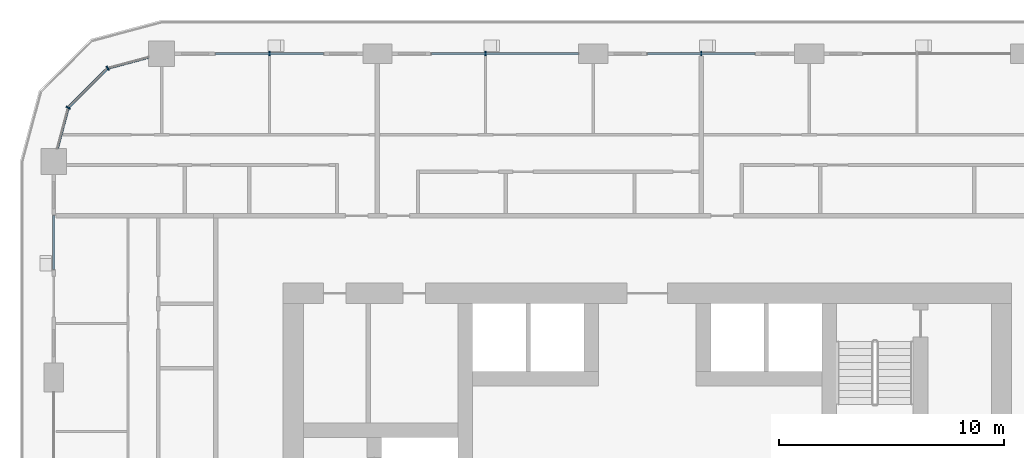
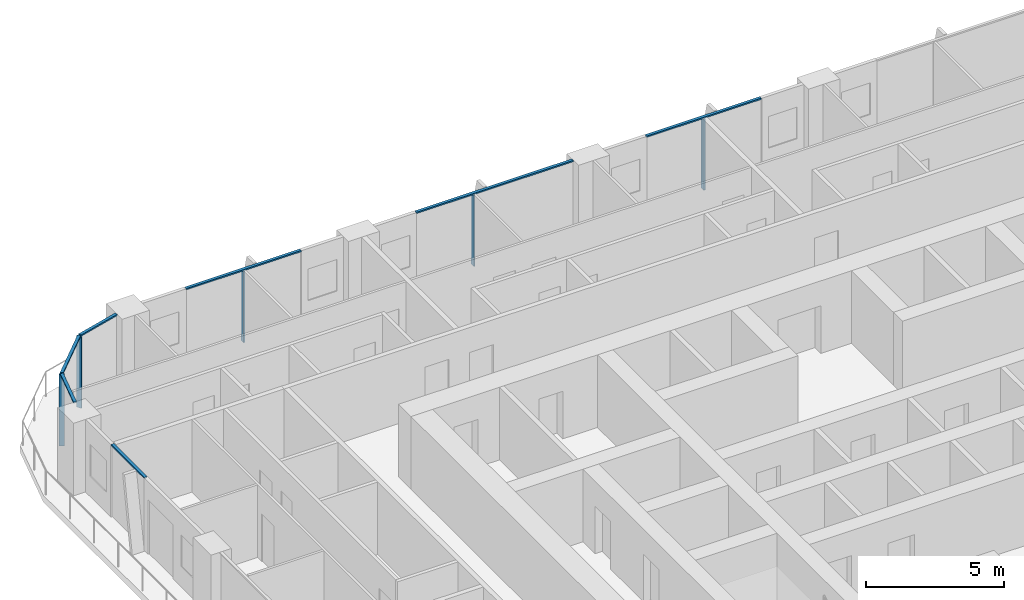
# One storey, part 5 of 22: 12 members, 5 elements without a shape of their own.
"""IFC4 building model written with IfcOpenShell, lengths in metres."""

from ifc_helpers import new_model, si_unit, direction, frame, origin, origin_2d, place, context, subcontext, project, spatial, rectangle, extrude, material, layer, layer_set, material_profile, profile_set, type_object, element, aggregate, save


model = new_model("IFC4")

# Units and contexts
model_context = context("Model", 3, precision=1e-05, world=origin(), true_north=direction((0.0, 1.0)))
body_context = subcontext(model_context, "Body", "Model", "MODEL_VIEW")
ifc_project = project(units=[si_unit("LENGTHUNIT", "METRE"), si_unit("AREAUNIT", "SQUARE_METRE"), si_unit("VOLUMEUNIT", "CUBIC_METRE"), si_unit("PLANEANGLEUNIT", "RADIAN"), si_unit("MASSUNIT", "GRAM", prefix="KILO")], contexts=[model_context])

# Site, building, storey
site_placement = place(None, origin())
site = spatial("IfcSite", under=ifc_project, at=site_placement, CompositionType="ELEMENT")
building_placement = place(site_placement, origin())
building = spatial("IfcBuilding", under=site, at=building_placement, Name="Madar Terraces", CompositionType="ELEMENT")
storey_placement = place(building_placement, frame((0.0, 0.0, 69.800048828125)))
storey = spatial("IfcBuildingStorey", under=building, at=storey_placement, Name="L17", CompositionType="ELEMENT", Elevation=69.800048828125)

# Curtain wall, member
ifc_material_1 = material(Name="Glass, ceramic frit dark grey, with black aluminium frame", Category="aluminium")
ifc_layer = layer(ifc_material_1, 0.199951171875)
ifc_layer_set = layer_set([ifc_layer], Name="Facade curtain wall, fritted glass")
curtain_wall_type = type_object("IfcCurtainWallType", Name="Facade curtain wall, fritted glass", PredefinedType="NOTDEFINED", material=ifc_layer_set)
curtain_wall_1_placement = place(storey_placement, origin())
curtain_wall_1 = element("IfcCurtainWall", 1, at=curtain_wall_1_placement, inside=storey, type_object=curtain_wall_type, Name="Outer skin curtain wall north bay 3", PredefinedType="NOTDEFINED")
ifc_material_2 = material(Name="Aluminium, black anodised", Category="aluminium")
ifc_material_profile_1 = material_profile(ifc_material_2, rectangle(XDim=0.199951171875, YDim=0.06005859375, at=origin_2d()), Name="Facade mullion 60x200")
ifc_profile_set_1 = profile_set([ifc_material_profile_1], Name="Aluminium, black anodised")
member_type_1 = type_object("IfcMemberType", Name="Facade mullion 60x200", PredefinedType="MULLION", material=ifc_profile_set_1)
member_1_placement = place(storey_placement, frame((33.60009765625, 48.0, 0.0), z_axis=(0.0, 0.0, 1.0), x_axis=(0.0, -1.0, 0.0)))
member_1 = element("IfcMember", 2, at=member_1_placement, type_object=member_type_1, Name="Mullion 1", PredefinedType="MULLION", context=body_context, shape_type="SweptSolid", body=[
    extrude(rectangle(XDim=0.199951171875, YDim=0.06005859375, at=origin_2d()), origin(), (0.0, 0.0, 1.0), 3.139892578125),
])

curtain_wall_2_placement = place(storey_placement, origin())
curtain_wall_2 = element("IfcCurtainWall", 3, at=curtain_wall_2_placement, inside=storey, type_object=curtain_wall_type, Name="Outer skin curtain wall north bay 4", PredefinedType="NOTDEFINED")
member_2_placement = place(storey_placement, frame((24.0, 48.0, 0.0), z_axis=(0.0, 0.0, 1.0), x_axis=(0.0, -1.0, 0.0)))
member_2 = element("IfcMember", 4, at=member_2_placement, type_object=member_type_1, Name="Mullion 1", PredefinedType="MULLION", context=body_context, shape_type="SweptSolid", body=[
    extrude(rectangle(XDim=0.199951171875, YDim=0.06005859375, at=origin_2d()), origin(), (0.0, 0.0, 1.0), 3.139892578125),
])

curtain_wall_3_placement = place(storey_placement, origin())
curtain_wall_3 = element("IfcCurtainWall", 5, at=curtain_wall_3_placement, inside=storey, type_object=curtain_wall_type, Name="Outer skin curtain wall north bay 5", PredefinedType="NOTDEFINED")
member_3_placement = place(storey_placement, frame((14.39990234375, 48.0, 0.0), z_axis=(0.0, 0.0, 1.0), x_axis=(0.0, -1.0, 0.0)))
member_3 = element("IfcMember", 6, at=member_3_placement, type_object=member_type_1, Name="Mullion 1", PredefinedType="MULLION", context=body_context, shape_type="SweptSolid", body=[
    extrude(rectangle(XDim=0.199951171875, YDim=0.06005859375, at=origin_2d()), origin(), (0.0, 0.0, 1.0), 3.139892578125),
])

# Curtain wall, members
curtain_wall_4_placement = place(storey_placement, origin())
curtain_wall_4 = element("IfcCurtainWall", 7, at=curtain_wall_4_placement, inside=storey, type_object=curtain_wall_type, Name="Outer skin curtain wall north-west corner", PredefinedType="NOTDEFINED")
member_4_placement = place(storey_placement, frame((7.199951171875, 47.35693359375, 0.0), z_axis=(0.0, 0.0, 1.0), x_axis=(0.499999989586, -0.866025409797, 0.0)))
member_4 = element("IfcMember", 8, at=member_4_placement, type_object=member_type_1, Name="Mullion 1", PredefinedType="MULLION", context=body_context, shape_type="SweptSolid", body=[
    extrude(rectangle(XDim=0.199951171875, YDim=0.06005859375, at=origin_2d()), origin(), (0.0, 0.0, 1.0), 3.139892578125),
])
member_5_placement = place(storey_placement, frame((5.443115234375, 45.60009765625, 0.0), z_axis=(0.0, 0.0, 1.0), x_axis=(0.866025409797, -0.499999989586, 0.0)))
member_5 = element("IfcMember", 9, at=member_5_placement, type_object=member_type_1, Name="Mullion 2", PredefinedType="MULLION", context=body_context, shape_type="SweptSolid", body=[
    extrude(rectangle(XDim=0.199951171875, YDim=0.06005859375, at=origin_2d()), origin(), (0.0, 0.0, 1.0), 3.139892578125),
])

# Member
ifc_material_3 = material(Name="Aluminium, black anodised", Category="aluminium")
ifc_material_profile_2 = material_profile(ifc_material_3, rectangle(XDim=0.1201171875, YDim=0.06005859375, at=origin_2d()), Name="Facade transom 60x120")
ifc_profile_set_2 = profile_set([ifc_material_profile_2], Name="Aluminium, black anodised")
member_type_2 = type_object("IfcMemberType", Name="Facade transom 60x120", PredefinedType="USERDEFINED", material=ifc_profile_set_2)
member_6_placement = place(storey_placement, frame((36.0, 48.0, 3.169921875), z_axis=(-1.0, 0.0, 0.0), x_axis=(0.0, -1.0, 0.0)))
member_6 = element("IfcMember", 10, at=member_6_placement, type_object=member_type_2, Name="Transom 1", ObjectType="TRANSOM", PredefinedType="USERDEFINED", context=body_context, shape_type="SweptSolid", body=[
    extrude(rectangle(XDim=0.1201171875, YDim=0.06005859375, at=origin_2d()), origin(), (0.0, 0.0, 1.0), 4.800048828125),
])

aggregate(curtain_wall_1, [member_1, member_6])

member_7_placement = place(storey_placement, frame((28.14990234375, 48.0, 3.169921875), z_axis=(-1.0, 0.0, 0.0), x_axis=(0.0, -1.0, 0.0)))
member_7 = element("IfcMember", 11, at=member_7_placement, type_object=member_type_2, Name="Transom 1", ObjectType="TRANSOM", PredefinedType="USERDEFINED", context=body_context, shape_type="SweptSolid", body=[
    extrude(rectangle(XDim=0.1201171875, YDim=0.06005859375, at=origin_2d()), origin(), (0.0, 0.0, 1.0), 6.5498046875),
])

aggregate(curtain_wall_2, [member_2, member_7])

member_8_placement = place(storey_placement, frame((16.800048828125, 48.0, 3.169921875), z_axis=(-1.0, 0.0, 0.0), x_axis=(0.0, -1.0, 0.0)))
member_8 = element("IfcMember", 12, at=member_8_placement, type_object=member_type_2, Name="Transom 1", ObjectType="TRANSOM", PredefinedType="USERDEFINED", context=body_context, shape_type="SweptSolid", body=[
    extrude(rectangle(XDim=0.1201171875, YDim=0.06005859375, at=origin_2d()), origin(), (0.0, 0.0, 1.0), 4.800048828125),
])

aggregate(curtain_wall_3, [member_3, member_8])

# Curtain wall, member
curtain_wall_5_placement = place(storey_placement, origin())
curtain_wall_5 = element("IfcCurtainWall", 13, at=curtain_wall_5_placement, inside=storey, type_object=curtain_wall_type, Name="Outer skin curtain wall west bay 1", PredefinedType="NOTDEFINED")
member_9_placement = place(storey_placement, frame((4.800048828125, 40.800048828125, 3.169921875), z_axis=(0.0, -1.0, 0.0), x_axis=(1.0, 0.0, 0.0)))
member_9 = element("IfcMember", 14, at=member_9_placement, type_object=member_type_2, Name="Transom 1", ObjectType="TRANSOM", PredefinedType="USERDEFINED", context=body_context, shape_type="SweptSolid", body=[
    extrude(rectangle(XDim=0.1201171875, YDim=0.06005859375, at=origin_2d()), origin(), (0.0, 0.0, 1.0), 2.400146484375),
])
aggregate(curtain_wall_5, [member_9])

# Member
member_10_placement = place(storey_placement, frame((9.02490234375, 47.845947265625, 3.169921875), z_axis=(-0.965926950947, -0.258814847786, 0.0), x_axis=(0.258814847786, -0.965926950947, 0.0)))
member_10 = element("IfcMember", 15, at=member_10_placement, type_object=member_type_2, Name="Transom 1", ObjectType="TRANSOM", PredefinedType="USERDEFINED", context=body_context, shape_type="SweptSolid", body=[
    extrude(rectangle(XDim=0.1201171875, YDim=0.06005859375, at=origin_2d()), origin(), (0.0, 0.0, 1.0), 1.859130859375),
])

member_11_placement = place(storey_placement, frame((7.1787109375, 47.335693359375, 3.169921875), z_axis=(-0.707056433593, -0.707157125196, 0.0), x_axis=(0.707157125196, -0.707056433593, 0.0)))
member_11 = element("IfcMember", 16, at=member_11_placement, type_object=member_type_2, Name="Transom 2", ObjectType="TRANSOM", PredefinedType="USERDEFINED", context=body_context, shape_type="SweptSolid", body=[
    extrude(rectangle(XDim=0.1201171875, YDim=0.06005859375, at=origin_2d()), origin(), (0.0, 0.0, 1.0), 2.424560546875),
])

member_12_placement = place(storey_placement, frame((5.435302734375, 45.571044921875, 3.169921875), z_axis=(-0.258782024434, -0.965935745187, 0.0), x_axis=(0.965935745187, -0.258782024434, 0.0)))
member_12 = element("IfcMember", 17, at=member_12_placement, type_object=member_type_2, Name="Transom 3", ObjectType="TRANSOM", PredefinedType="USERDEFINED", context=body_context, shape_type="SweptSolid", body=[
    extrude(rectangle(XDim=0.1201171875, YDim=0.06005859375, at=origin_2d()), origin(), (0.0, 0.0, 1.0), 1.859375),
])

aggregate(curtain_wall_4, [member_4, member_10, member_5, member_11, member_12])

save(model, "model.ifc")
